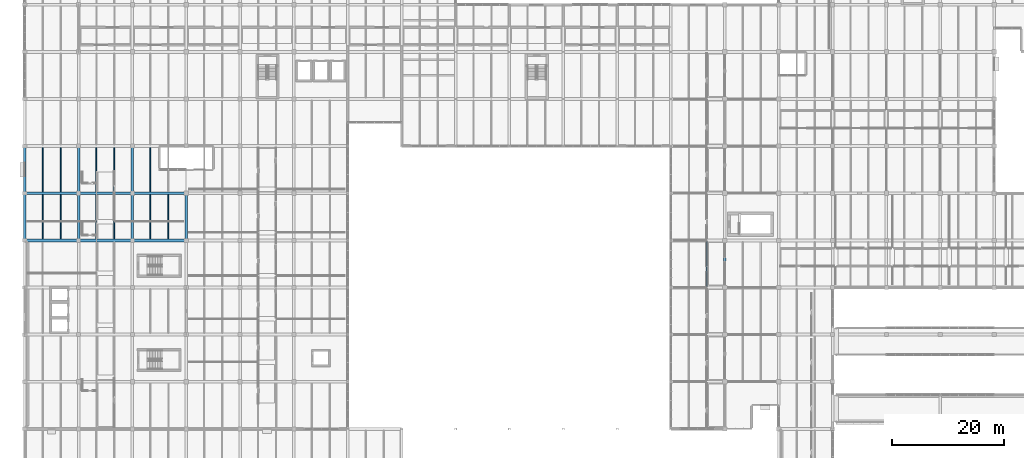
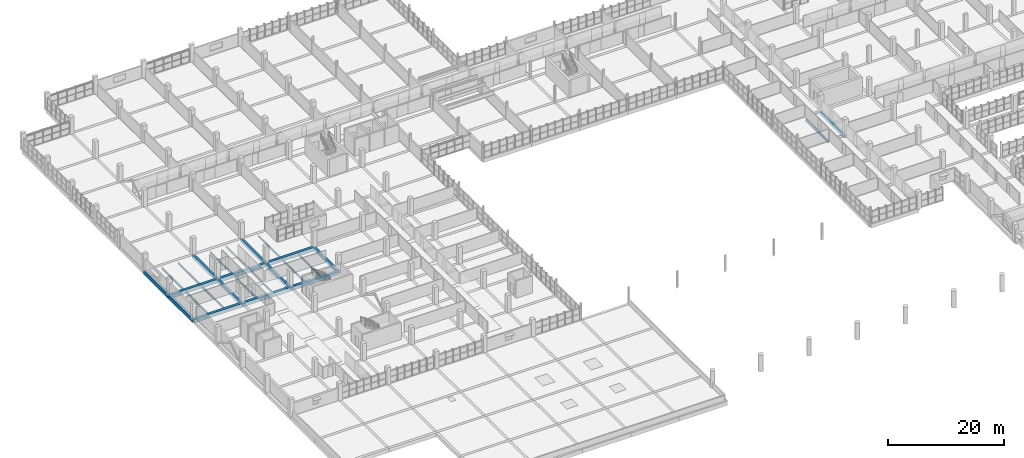
# One storey, part 31 of 147: 26 beams.
"""IFC4 building model written with IfcOpenShell, lengths in metres."""

import ifcopenshell
import ifcopenshell.guid

model = None  # the IFC model being written
_history = None  # IfcOwnerHistory: only IFC2X3 demands one
_inside = {}  # id of a spatial element -> (the spatial element, [elements in it])
_under = {}  # id of a project, library or spatial element -> (it, [spatial elements below it])
_declared = {}  # id of a project -> (the project, [libraries it declares])
_typed = {}  # id of a type object -> (the type object, [elements of that type])
_made_of = {}  # id of a material, layer set ... -> (it, [elements and type objects made of it])


def new_model(schema):
    """Start an empty IFC model of exactly this schema.

    Asked for "IFC4X3", IfcOpenShell would pick the latest addendum, in which some entities
    have other attributes; the version numbers below select the first issue.
    IFC2X3 requires an IfcOwnerHistory on every rooted entity: one is made here for all.
    """
    global model, _history
    if schema == "IFC4X3":
        model = ifcopenshell.file(schema_version=(4, 3, 0, 0))
    else:
        model = ifcopenshell.file(schema=schema)
    _inside.clear()
    _under.clear()
    _declared.clear()
    _typed.clear()
    _made_of.clear()
    _history = None
    if model.schema == "IFC2X3":
        org = make("IfcOrganization", Name="unknown")
        user = make(
            "IfcPersonAndOrganization",
            ThePerson=make("IfcPerson", FamilyName="unknown"),
            TheOrganization=org,
        )
        app = make(
            "IfcApplication",
            ApplicationDeveloper=org,
            Version="unknown",
            ApplicationFullName="unknown",
            ApplicationIdentifier="unknown",
        )
        _history = make(
            "IfcOwnerHistory",
            OwningUser=user,
            OwningApplication=app,
            ChangeAction="ADDED",
            CreationDate=0,
        )
    return model


def make(cls, **values):
    """One entity of the class cls with the attributes given. An attribute that is None is left unset."""
    return model.create_entity(
        cls, **{name: value for name, value in values.items() if value is not None}
    )


def rooted(cls, **values):
    """An entity with a GlobalId (a new one), such as an element, a storey or a relation."""
    return make(cls, GlobalId=ifcopenshell.guid.new(), OwnerHistory=_history, **values)


def si_unit(unit_type, name, prefix=None):
    """IfcSIUnit, for example si_unit("LENGTHUNIT", "METRE", prefix="MILLI")."""
    return make("IfcSIUnit", UnitType=unit_type, Prefix=prefix, Name=name)


def assignment(units):
    """IfcUnitAssignment: the units of a project."""
    return None if units is None else make("IfcUnitAssignment", Units=units)


def point(xyz):
    """IfcCartesianPoint."""
    return None if xyz is None else make("IfcCartesianPoint", Coordinates=xyz)


def direction(xyz):
    """IfcDirection."""
    return None if xyz is None else make("IfcDirection", DirectionRatios=xyz)


def frame(location, z_axis=None, x_axis=None):
    """IfcAxis2Placement3D, a coordinate frame: its origin and axes. An axis left out is left unset."""
    return make(
        "IfcAxis2Placement3D",
        Location=point(location),
        Axis=direction(z_axis),
        RefDirection=direction(x_axis),
    )


def frame_2d(location, x_axis=None):
    """IfcAxis2Placement2D, a coordinate frame in the plane: its origin and x axis."""
    return make(
        "IfcAxis2Placement2D", Location=point(location), RefDirection=direction(x_axis)
    )


def origin():
    """The frame at (0, 0, 0) with its axes left unset."""
    return frame((0.0, 0.0, 0.0))


def origin_2d():
    """The frame at (0, 0) in the plane with its x axis left unset."""
    return frame_2d((0.0, 0.0))


def place(relative_to, where):
    """IfcLocalPlacement: puts the frame where relative to a parent placement (None: the world)."""
    return make(
        "IfcLocalPlacement", PlacementRelTo=relative_to, RelativePlacement=where
    )


def context(
    kind, dimensions, precision=None, world=None, true_north=None, identifier=None
):
    """IfcGeometricRepresentationContext, for example the 3D "Model" context."""
    return make(
        "IfcGeometricRepresentationContext",
        ContextIdentifier=identifier,
        ContextType=kind,
        CoordinateSpaceDimension=dimensions,
        Precision=precision,
        WorldCoordinateSystem=world,
        TrueNorth=true_north,
    )


def subcontext(parent, identifier, kind, view, scale=None):
    """IfcGeometricRepresentationSubContext, for example "Body" below "Model"."""
    return make(
        "IfcGeometricRepresentationSubContext",
        ContextIdentifier=identifier,
        ContextType=kind,
        ParentContext=parent,
        TargetScale=scale,
        TargetView=view,
    )


def project(units=None, contexts=None):
    """IfcProject with its units and contexts."""
    return rooted(
        "IfcProject",
        Name="project",
        RepresentationContexts=contexts,
        UnitsInContext=assignment(units),
    )


def spatial(cls, under=None, at=None, **own):
    """A site, building, storey or space (cls), placed at a placement, below another one or the project."""
    s = rooted(cls, ObjectPlacement=at, **own)
    if under is not None:
        _under.setdefault(under.id(), (under, []))[1].append(s)
    return s


def profile(cls, at=None, kind="AREA", **sizes):
    """A parametric profile (cls). Its sizes go by their IFC names, for example OverallWidth=200.0."""
    return make(cls, ProfileType=kind, Position=at, **sizes)


def rectangle(**sizes):
    """IfcRectangleProfileDef."""
    return profile("IfcRectangleProfileDef", **sizes)


def i_section(**sizes):
    """IfcIShapeProfileDef."""
    return profile("IfcIShapeProfileDef", **sizes)


def extrude(swept, where, along, depth):
    """IfcExtrudedAreaSolid: the profile swept, set in the frame where, extruded along a direction by depth."""
    return make(
        "IfcExtrudedAreaSolid",
        SweptArea=swept,
        Position=where,
        ExtrudedDirection=direction(along),
        Depth=depth,
    )


def shape(context_of_items, identifier, shape_type, items):
    """IfcShapeRepresentation: the items that make up one representation, for example the "Body"."""
    return make(
        "IfcShapeRepresentation",
        ContextOfItems=context_of_items,
        RepresentationIdentifier=identifier,
        RepresentationType=shape_type,
        Items=items,
    )


def material(Name=None, Category=None):
    """IfcMaterial."""
    return make("IfcMaterial", Name=Name, Category=Category)


def material_profile(
    of_material, cross_section, Name=None, Category=None, Priority=None
):
    """IfcMaterialProfile: a cross section and its material."""
    return make(
        "IfcMaterialProfile",
        Name=Name,
        Material=of_material,
        Profile=cross_section,
        Priority=Priority,
        Category=Category,
    )


def profile_set(profiles, Name=None, composite=None):
    """IfcMaterialProfileSet."""
    return make(
        "IfcMaterialProfileSet",
        Name=Name,
        MaterialProfiles=profiles,
        CompositeProfile=composite,
    )


def made_of(thing, what):
    """Note that an element or type object is made of a material, layer set ...; save() writes the relation."""
    if what is not None:
        _made_of.setdefault(what.id(), (what, []))[1].append(thing)
    return thing


def type_object(cls, material=None, **own):
    """A type object (cls), such as IfcWallType, which elements share."""
    return made_of(rooted(cls, **own), material)


def element(
    cls,
    number,
    at=None,
    inside=None,
    cuts=None,
    type_object=None,
    material=None,
    context=None,
    identifier="Body",
    shape_type=None,
    held_by="IfcProductDefinitionShape",
    body=None,
    shapes=None,
    **own,
):
    """One element of the class cls, such as IfcWall. Its Tag is "e" and its number.

    at: its placement. inside: the storey or other place that contains it. cuts: it is an
    opening in that element (IfcRelVoidsElement). A single representation is given by context,
    identifier, shape_type and body (its items); several are given by shapes. held_by: the class
    of the entity that holds the representations. save() writes the other relations.
    """
    e = rooted(cls, Tag="e%d" % number, ObjectPlacement=at, **own)
    if body is not None:
        shapes = [shape(context, identifier, shape_type, body)]
    if shapes is not None:
        e.Representation = make(held_by, Representations=shapes)
    if inside is not None:
        _inside.setdefault(inside.id(), (inside, []))[1].append(e)
    if cuts is not None:
        rooted(
            "IfcRelVoidsElement", RelatingBuildingElement=cuts, RelatedOpeningElement=e
        )
    if type_object is not None:
        _typed.setdefault(type_object.id(), (type_object, []))[1].append(e)
    return made_of(e, material)


def aggregate(whole, parts):
    """IfcRelAggregates: a whole, such as a stair, and the parts it consists of."""
    return rooted("IfcRelAggregates", RelatingObject=whole, RelatedObjects=parts)


def save(model, path):
    """Write the relations noted so far, then the file.

    IfcRelAggregates (storeys below a building ...), IfcRelContainedInSpatialStructure (elements
    in a storey), IfcRelDefinesByType, IfcRelAssociatesMaterial and IfcRelDeclares: one each for
    every whole, place, type object, material and project.
    """
    for whole, parts in _under.values():
        aggregate(whole, parts)
    for where, things in _inside.values():
        rooted(
            "IfcRelContainedInSpatialStructure",
            RelatedElements=things,
            RelatingStructure=where,
        )
    for kind, things in _typed.values():
        rooted("IfcRelDefinesByType", RelatedObjects=things, RelatingType=kind)
    for what, things in _made_of.values():
        rooted("IfcRelAssociatesMaterial", RelatedObjects=things, RelatingMaterial=what)
    for by, libraries in _declared.values():
        rooted("IfcRelDeclares", RelatingContext=by, RelatedDefinitions=libraries)
    model.write(path)


model = new_model("IFC4")

# Units and contexts
model_context = context("Model", 3, precision=1e-05, world=origin(), true_north=direction((0.0, 1.0)))
body_context = subcontext(model_context, "Body", "Model", "MODEL_VIEW")
ifc_project = project(units=[si_unit("LENGTHUNIT", "METRE"), si_unit("AREAUNIT", "SQUARE_METRE"), si_unit("VOLUMEUNIT", "CUBIC_METRE"), si_unit("PLANEANGLEUNIT", "RADIAN"), si_unit("MASSUNIT", "GRAM", prefix="KILO")], contexts=[model_context])

# Site, building, storey
site_placement = place(None, origin())
site = spatial("IfcSite", under=ifc_project, at=site_placement, CompositionType="ELEMENT")
building_placement = place(site_placement, origin())
building = spatial("IfcBuilding", under=site, at=building_placement, Name="Oolite Switchyard Hospital", CompositionType="ELEMENT")
storey_placement = place(building_placement, frame((0.0, 0.0, 9.89990234375)))
storey = spatial("IfcBuildingStorey", under=building, at=storey_placement, Name="L02", CompositionType="ELEMENT", Elevation=9.89990234375)

# Beams
ifc_material_1 = material(Name="Concrete C40/50", Category="concrete")
ifc_material_profile_1 = material_profile(ifc_material_1, rectangle(XDim=0.449951171875, YDim=0.64990234375, at=origin_2d()), Name="RCB450X650")
ifc_profile_set_1 = profile_set([ifc_material_profile_1], Name="Concrete C40/50")
beam_type_1 = type_object("IfcBeamType", Name="BM-RC450X650", PredefinedType="BEAM", material=ifc_profile_set_1)
beam_1_placement = place(storey_placement, frame((9.60009765625, 67.199951171875, -0.324951171875), z_axis=(0.0, 1.0, 0.0), x_axis=(-1.0, 0.0, 0.0)))
element("IfcBeam", 1, at=beam_1_placement, inside=storey, type_object=beam_type_1, Name="L02 Y-Girder 1269", PredefinedType="BEAM", context=body_context, shape_type="SweptSolid", body=[
    extrude(rectangle(XDim=0.449951171875, YDim=0.64990234375, at=origin_2d()), origin(), (0.0, 0.0, 1.0), 8.400146484375),
])
beam_2_placement = place(storey_placement, frame((9.60009765625, 75.60009765625, -0.324951171875), z_axis=(0.0, 1.0, 0.0), x_axis=(-1.0, 0.0, 0.0)))
element("IfcBeam", 2, at=beam_2_placement, inside=storey, type_object=beam_type_1, Name="L02 Y-Girder 1270", PredefinedType="BEAM", context=body_context, shape_type="SweptSolid", body=[
    extrude(rectangle(XDim=0.449951171875, YDim=0.64990234375, at=origin_2d()), origin(), (0.0, 0.0, 1.0), 8.39990234375),
])
beam_3_placement = place(storey_placement, frame((19.199951171875, 67.199951171875, -0.324951171875), z_axis=(0.0, 1.0, 0.0), x_axis=(-1.0, 0.0, 0.0)))
element("IfcBeam", 3, at=beam_3_placement, inside=storey, type_object=beam_type_1, Name="L02 Y-Girder 1285", PredefinedType="BEAM", context=body_context, shape_type="SweptSolid", body=[
    extrude(rectangle(XDim=0.449951171875, YDim=0.64990234375, at=origin_2d()), origin(), (0.0, 0.0, 1.0), 8.400146484375),
])
beam_4_placement = place(storey_placement, frame((19.199951171875, 75.60009765625, -0.324951171875), z_axis=(0.0, 1.0, 0.0), x_axis=(-1.0, 0.0, 0.0)))
element("IfcBeam", 4, at=beam_4_placement, inside=storey, type_object=beam_type_1, Name="L02 Y-Girder 1286", PredefinedType="BEAM", context=body_context, shape_type="SweptSolid", body=[
    extrude(rectangle(XDim=0.449951171875, YDim=0.64990234375, at=origin_2d()), origin(), (0.0, 0.0, 1.0), 8.39990234375),
])
beam_5_placement = place(storey_placement, frame((28.800048828125, 67.199951171875, -0.324951171875), z_axis=(0.0, 1.0, 0.0), x_axis=(-1.0, 0.0, 0.0)))
element("IfcBeam", 5, at=beam_5_placement, inside=storey, type_object=beam_type_1, Name="L02 Y-Girder 1301", PredefinedType="BEAM", context=body_context, shape_type="SweptSolid", body=[
    extrude(rectangle(XDim=0.449951171875, YDim=0.64990234375, at=origin_2d()), origin(), (0.0, 0.0, 1.0), 8.400146484375),
])
beam_6_placement = place(storey_placement, frame((124.800048828125, 58.800048828125, -0.324951171875), z_axis=(0.0, 1.0, 0.0), x_axis=(-1.0, 0.0, 0.0)))
element("IfcBeam", 6, at=beam_6_placement, inside=storey, type_object=beam_type_1, Name="L02 Y-Girder 1394", PredefinedType="BEAM", context=body_context, shape_type="SweptSolid", body=[
    extrude(rectangle(XDim=0.449951171875, YDim=0.64990234375, at=origin_2d()), origin(), (0.0, 0.0, 1.0), 8.39990234375),
])
ifc_material_profile_2 = material_profile(ifc_material_1, rectangle(XDim=0.5, YDim=0.800048828125, at=origin_2d()), Name="RCB500X800")
ifc_profile_set_2 = profile_set([ifc_material_profile_2], Name="Concrete C40/50")
beam_type_2 = type_object("IfcBeamType", Name="BM-RC500X800", PredefinedType="BEAM", material=ifc_profile_set_2)
beam_7_placement = place(storey_placement, frame((0.0, 67.199951171875, -0.39990234375), z_axis=(1.0, 0.0, 0.0), x_axis=(0.0, 1.0, 0.0)))
element("IfcBeam", 7, at=beam_7_placement, inside=storey, type_object=beam_type_2, Name="L02 X-Girder 1094", PredefinedType="BEAM", context=body_context, shape_type="SweptSolid", body=[
    extrude(rectangle(XDim=0.5, YDim=0.800048828125, at=origin_2d()), origin(), (0.0, 0.0, 1.0), 9.60009765625),
])
beam_8_placement = place(storey_placement, frame((9.60009765625, 67.199951171875, -0.39990234375), z_axis=(1.0, 0.0, 0.0), x_axis=(0.0, 1.0, 0.0)))
element("IfcBeam", 8, at=beam_8_placement, inside=storey, type_object=beam_type_2, Name="L02 X-Girder 1095", PredefinedType="BEAM", context=body_context, shape_type="SweptSolid", body=[
    extrude(rectangle(XDim=0.5, YDim=0.800048828125, at=origin_2d()), origin(), (0.0, 0.0, 1.0), 9.599853515625),
])
for number, where, z_axis, x_axis, name in (
    (9, (19.199951171875, 67.199951171875, -0.39990234375), (1.0, 0.0, 0.0), (0.0, 1.0, 0.0), "L02 X-Girder 1096"),
    (10, (0.0, 75.60009765625, -0.39990234375), (1.0, 0.0, 0.0), (0.0, 1.0, 0.0), "L02 X-Girder 1110"),
):
    element("IfcBeam", number, at=place(storey_placement, frame(where, z_axis=z_axis, x_axis=x_axis)), inside=storey, type_object=beam_type_2, Name=name, PredefinedType="BEAM", context=body_context, shape_type="SweptSolid", body=[
        extrude(rectangle(XDim=0.5, YDim=0.800048828125, at=origin_2d()), origin(), (0.0, 0.0, 1.0), 9.60009765625),
    ])
beam_9_placement = place(storey_placement, frame((9.60009765625, 75.60009765625, -0.39990234375), z_axis=(1.0, 0.0, 0.0), x_axis=(0.0, 1.0, 0.0)))
element("IfcBeam", 11, at=beam_9_placement, inside=storey, type_object=beam_type_2, Name="L02 X-Girder 1111", PredefinedType="BEAM", context=body_context, shape_type="SweptSolid", body=[
    extrude(rectangle(XDim=0.5, YDim=0.800048828125, at=origin_2d()), origin(), (0.0, 0.0, 1.0), 9.599853515625),
])
beam_10_placement = place(storey_placement, frame((19.199951171875, 75.60009765625, -0.39990234375), z_axis=(1.0, 0.0, 0.0), x_axis=(0.0, 1.0, 0.0)))
element("IfcBeam", 12, at=beam_10_placement, inside=storey, type_object=beam_type_2, Name="L02 X-Girder 1112", PredefinedType="BEAM", context=body_context, shape_type="SweptSolid", body=[
    extrude(rectangle(XDim=0.5, YDim=0.800048828125, at=origin_2d()), origin(), (0.0, 0.0, 1.0), 9.60009765625),
])
beam_11_placement = place(storey_placement, frame((0.0, 67.199951171875, -0.39990234375), z_axis=(0.0, 1.0, 0.0), x_axis=(-1.0, 0.0, 0.0)))
element("IfcBeam", 13, at=beam_11_placement, inside=storey, type_object=beam_type_2, Name="L02 Y-Girder 1256", PredefinedType="BEAM", context=body_context, shape_type="SweptSolid", body=[
    extrude(rectangle(XDim=0.5, YDim=0.800048828125, at=origin_2d()), origin(), (0.0, 0.0, 1.0), 8.400146484375),
])
beam_12_placement = place(storey_placement, frame((0.0, 75.60009765625, -0.39990234375), z_axis=(0.0, 1.0, 0.0), x_axis=(-1.0, 0.0, 0.0)))
element("IfcBeam", 14, at=beam_12_placement, inside=storey, type_object=beam_type_2, Name="L02 Y-Girder 1257", PredefinedType="BEAM", context=body_context, shape_type="SweptSolid", body=[
    extrude(rectangle(XDim=0.5, YDim=0.800048828125, at=origin_2d()), origin(), (0.0, 0.0, 1.0), 8.39990234375),
])
ifc_material_2 = material(Name="Steel ASTM A992 Grade 50", Category="steel")
ifc_material_profile_3 = material_profile(ifc_material_2, i_section(OverallWidth=0.1708984375, OverallDepth=0.35107421875, WebThickness=0.007080078125, FlangeThickness=0.010009765625, at=origin_2d()), Name="W14X30")
ifc_profile_set_3 = profile_set([ifc_material_profile_3], Name="Steel ASTM A992 Grade 50")
beam_type_3 = type_object("IfcBeamType", Name="BM-W14X30", PredefinedType="JOIST", material=ifc_profile_set_3)
beam_13_placement = place(storey_placement, frame((16.0, 75.85009765625, -0.434814453125), z_axis=(0.0, 1.0, 0.0), x_axis=(-1.0, 0.0, 0.0)))
element("IfcBeam", 15, at=beam_13_placement, inside=storey, type_object=beam_type_3, Name="L02 Secondary Steel Joist 1551", PredefinedType="JOIST", context=body_context, shape_type="SweptSolid", body=[
    extrude(i_section(OverallWidth=0.1708984375, OverallDepth=0.35107421875, WebThickness=0.007080078125, FlangeThickness=0.010009765625, at=origin_2d()), origin(), (0.0, 0.0, 1.0), 7.89990234375),
])
beam_14_placement = place(storey_placement, frame((25.60009765625, 67.449951171875, -0.434814453125), z_axis=(0.0, 1.0, 0.0), x_axis=(-1.0, 0.0, 0.0)))
element("IfcBeam", 16, at=beam_14_placement, inside=storey, type_object=beam_type_3, Name="L02 Secondary Steel Joist 1577", PredefinedType="JOIST", context=body_context, shape_type="SweptSolid", body=[
    extrude(i_section(OverallWidth=0.1708984375, OverallDepth=0.35107421875, WebThickness=0.007080078125, FlangeThickness=0.010009765625, at=origin_2d()), origin(), (0.0, 0.0, 1.0), 7.900146484375),
])
beam_15_placement = place(storey_placement, frame((22.39990234375, 75.85009765625, -0.434814453125), z_axis=(0.0, 1.0, 0.0), x_axis=(-1.0, 0.0, 0.0)))
element("IfcBeam", 17, at=beam_15_placement, inside=storey, type_object=beam_type_3, Name="L02 Secondary Steel Joist 1578", PredefinedType="JOIST", context=body_context, shape_type="SweptSolid", body=[
    extrude(i_section(OverallWidth=0.1708984375, OverallDepth=0.35107421875, WebThickness=0.007080078125, FlangeThickness=0.010009765625, at=origin_2d()), origin(), (0.0, 0.0, 1.0), 7.89990234375),
])
ifc_material_profile_4 = material_profile(ifc_material_2, i_section(OverallWidth=0.177978515625, OverallDepth=0.403076171875, WebThickness=0.008056640625, FlangeThickness=0.010986328125, at=origin_2d()), Name="W16X36")
ifc_profile_set_4 = profile_set([ifc_material_profile_4], Name="Steel ASTM A992 Grade 50")
beam_type_4 = type_object("IfcBeamType", Name="BM-W16X36", PredefinedType="JOIST", material=ifc_profile_set_4)
beam_16_placement = place(storey_placement, frame((6.39990234375, 75.85009765625, -0.4609375), z_axis=(0.0, 1.0, 0.0), x_axis=(-1.0, 0.0, 0.0)))
element("IfcBeam", 18, at=beam_16_placement, inside=storey, type_object=beam_type_4, Name="L02 Secondary Steel Joist 1525", PredefinedType="JOIST", context=body_context, shape_type="SweptSolid", body=[
    extrude(i_section(OverallWidth=0.177978515625, OverallDepth=0.403076171875, WebThickness=0.008056640625, FlangeThickness=0.010986328125, at=origin_2d()), origin(), (0.0, 0.0, 1.0), 7.89990234375),
])
beam_17_placement = place(storey_placement, frame((16.0, 67.449951171875, -0.4609375), z_axis=(0.0, 1.0, 0.0), x_axis=(-1.0, 0.0, 0.0)))
element("IfcBeam", 19, at=beam_17_placement, inside=storey, type_object=beam_type_4, Name="L02 Secondary Steel Joist 1549", PredefinedType="JOIST", context=body_context, shape_type="SweptSolid", body=[
    extrude(i_section(OverallWidth=0.177978515625, OverallDepth=0.403076171875, WebThickness=0.008056640625, FlangeThickness=0.010986328125, at=origin_2d()), origin(), (0.0, 0.0, 1.0), 7.900146484375),
])
beam_18_placement = place(storey_placement, frame((12.800048828125, 75.85009765625, -0.4609375), z_axis=(0.0, 1.0, 0.0), x_axis=(-1.0, 0.0, 0.0)))
element("IfcBeam", 20, at=beam_18_placement, inside=storey, type_object=beam_type_4, Name="L02 Secondary Steel Joist 1550", PredefinedType="JOIST", context=body_context, shape_type="SweptSolid", body=[
    extrude(i_section(OverallWidth=0.177978515625, OverallDepth=0.403076171875, WebThickness=0.008056640625, FlangeThickness=0.010986328125, at=origin_2d()), origin(), (0.0, 0.0, 1.0), 7.89990234375),
])
beam_19_placement = place(storey_placement, frame((22.39990234375, 67.449951171875, -0.4609375), z_axis=(0.0, 1.0, 0.0), x_axis=(-1.0, 0.0, 0.0)))
element("IfcBeam", 21, at=beam_19_placement, inside=storey, type_object=beam_type_4, Name="L02 Secondary Steel Joist 1576", PredefinedType="JOIST", context=body_context, shape_type="SweptSolid", body=[
    extrude(i_section(OverallWidth=0.177978515625, OverallDepth=0.403076171875, WebThickness=0.008056640625, FlangeThickness=0.010986328125, at=origin_2d()), origin(), (0.0, 0.0, 1.0), 7.900146484375),
])
ifc_material_profile_5 = material_profile(ifc_material_2, i_section(OverallWidth=0.179931640625, OverallDepth=0.4130859375, WebThickness=0.010009765625, FlangeThickness=0.01611328125, at=origin_2d()), Name="W16X50")
ifc_profile_set_5 = profile_set([ifc_material_profile_5], Name="Steel ASTM A992 Grade 50")
beam_type_5 = type_object("IfcBeamType", Name="BM-W16X50", PredefinedType="JOIST", material=ifc_profile_set_5)
beam_20_placement = place(storey_placement, frame((6.39990234375, 67.449951171875, -0.4658203125), z_axis=(0.0, 1.0, 0.0), x_axis=(-1.0, 0.0, 0.0)))
element("IfcBeam", 22, at=beam_20_placement, inside=storey, type_object=beam_type_5, Name="L02 Secondary Steel Joist 1523", PredefinedType="JOIST", context=body_context, shape_type="SweptSolid", body=[
    extrude(i_section(OverallWidth=0.179931640625, OverallDepth=0.4130859375, WebThickness=0.010009765625, FlangeThickness=0.01611328125, at=origin_2d()), origin(), (0.0, 0.0, 1.0), 7.900146484375),
])
beam_21_placement = place(storey_placement, frame((3.199951171875, 75.85009765625, -0.4658203125), z_axis=(0.0, 1.0, 0.0), x_axis=(-1.0, 0.0, 0.0)))
element("IfcBeam", 23, at=beam_21_placement, inside=storey, type_object=beam_type_5, Name="L02 Secondary Steel Joist 1524", PredefinedType="JOIST", context=body_context, shape_type="SweptSolid", body=[
    extrude(i_section(OverallWidth=0.179931640625, OverallDepth=0.4130859375, WebThickness=0.010009765625, FlangeThickness=0.01611328125, at=origin_2d()), origin(), (0.0, 0.0, 1.0), 7.89990234375),
])
beam_22_placement = place(storey_placement, frame((12.800048828125, 67.449951171875, -0.4658203125), z_axis=(0.0, 1.0, 0.0), x_axis=(-1.0, 0.0, 0.0)))
element("IfcBeam", 24, at=beam_22_placement, inside=storey, type_object=beam_type_5, Name="L02 Secondary Steel Joist 1548", PredefinedType="JOIST", context=body_context, shape_type="SweptSolid", body=[
    extrude(i_section(OverallWidth=0.179931640625, OverallDepth=0.4130859375, WebThickness=0.010009765625, FlangeThickness=0.01611328125, at=origin_2d()), origin(), (0.0, 0.0, 1.0), 7.900146484375),
])
ifc_material_profile_6 = material_profile(ifc_material_2, i_section(OverallWidth=0.153076171875, OverallDepth=0.455078125, WebThickness=0.008056640625, FlangeThickness=0.012939453125, at=origin_2d()), Name="W18X40")
ifc_profile_set_6 = profile_set([ifc_material_profile_6], Name="Steel ASTM A992 Grade 50")
beam_type_6 = type_object("IfcBeamType", Name="BM-W18X40", PredefinedType="JOIST", material=ifc_profile_set_6)
beam_23_placement = place(storey_placement, frame((3.199951171875, 67.449951171875, -0.48681640625), z_axis=(0.0, 1.0, 0.0), x_axis=(-1.0, 0.0, 0.0)))
element("IfcBeam", 25, at=beam_23_placement, inside=storey, type_object=beam_type_6, Name="L02 Secondary Steel Joist 1522", PredefinedType="JOIST", context=body_context, shape_type="SweptSolid", body=[
    extrude(i_section(OverallWidth=0.153076171875, OverallDepth=0.455078125, WebThickness=0.008056640625, FlangeThickness=0.012939453125, at=origin_2d()), origin(), (0.0, 0.0, 1.0), 7.900146484375),
])
ifc_material_profile_7 = material_profile(ifc_material_2, i_section(OverallWidth=0.166015625, OverallDepth=0.529052734375, WebThickness=0.010009765625, FlangeThickness=0.013916015625, at=origin_2d()), Name="W21X50")
ifc_profile_set_7 = profile_set([ifc_material_profile_7], Name="Steel ASTM A992 Grade 50")
beam_type_7 = type_object("IfcBeamType", Name="BM-W21X50", PredefinedType="JOIST", material=ifc_profile_set_7)
beam_24_placement = place(storey_placement, frame((121.60009765625, 59.050048828125, -0.52392578125), z_axis=(0.0, 1.0, 0.0), x_axis=(-1.0, 0.0, 0.0)))
element("IfcBeam", 26, at=beam_24_placement, inside=storey, type_object=beam_type_7, Name="L02 Secondary Steel Joist 1739", PredefinedType="JOIST", context=body_context, shape_type="SweptSolid", body=[
    extrude(i_section(OverallWidth=0.166015625, OverallDepth=0.529052734375, WebThickness=0.010009765625, FlangeThickness=0.013916015625, at=origin_2d()), origin(), (0.0, 0.0, 1.0), 7.89990234375),
])

save(model, "model.ifc")
